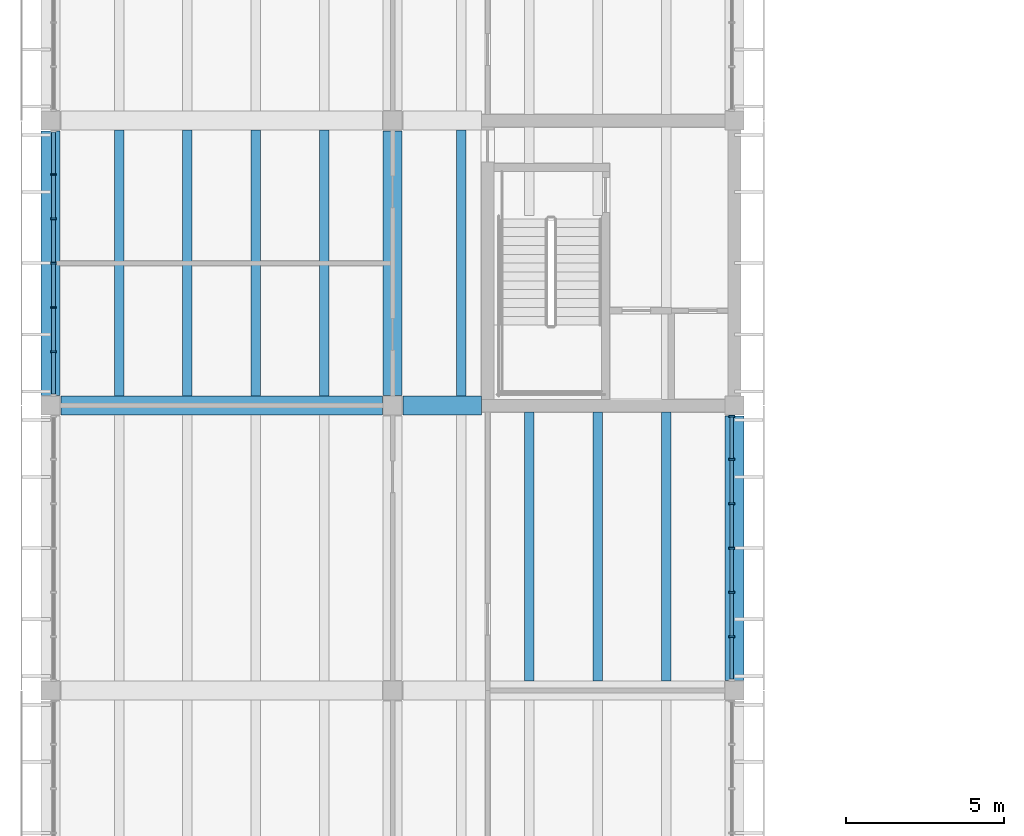
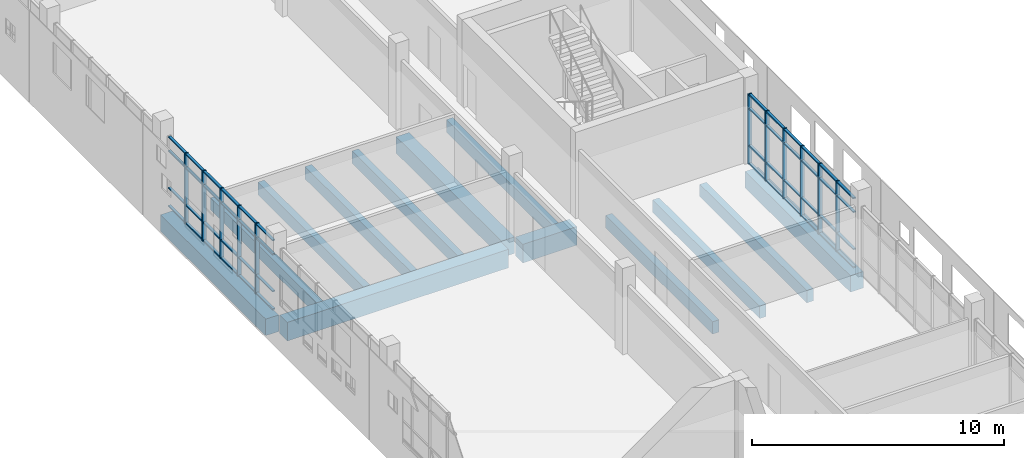
# One storey, part 16 of 88: 59 members, 13 beams, 2 elements without a shape of their own.
"""IFC4 building model written with IfcOpenShell, lengths in metres."""

from ifc_helpers import new_model, si_unit, direction, frame, origin, origin_2d, place, context, subcontext, project, spatial, rectangle, extrude, material, material_profile, profile_set, type_object, element, aggregate, save


model = new_model("IFC4")

# Units and contexts
model_context = context("Model", 3, precision=1e-05, world=origin(), true_north=direction((0.0, 1.0)))
body_context = subcontext(model_context, "Body", "Model", "MODEL_VIEW")
ifc_project = project(units=[si_unit("LENGTHUNIT", "METRE"), si_unit("AREAUNIT", "SQUARE_METRE"), si_unit("VOLUMEUNIT", "CUBIC_METRE"), si_unit("PLANEANGLEUNIT", "RADIAN"), si_unit("MASSUNIT", "GRAM", prefix="KILO")], contexts=[model_context])

# Site, building, storey
site_placement = place(None, origin())
site = spatial("IfcSite", under=ifc_project, at=site_placement, CompositionType="ELEMENT")
building_placement = place(site_placement, origin())
building = spatial("IfcBuilding", under=site, at=building_placement, Name="Merrow Basin Faculty of Sciences", CompositionType="ELEMENT")
storey_placement = place(building_placement, frame((0.0, 0.0, 9.0)))
storey = spatial("IfcBuildingStorey", under=building, at=storey_placement, Name="L02", CompositionType="ELEMENT", Elevation=9.0)

# Curtain wall, members
ifc_material_1 = material(Name="Aluminium alloy 6063", Category="aluminium")
curtain_wall_type = type_object("IfcCurtainWallType", Name="Bar unitised curtain wall 180", PredefinedType="NOTDEFINED", material=ifc_material_1)
curtain_wall_1_placement = place(storey_placement, origin())
curtain_wall_1 = element("IfcCurtainWall", 1, at=curtain_wall_1_placement, inside=storey, type_object=curtain_wall_type, Name="West curtain wall L02 3", PredefinedType="NOTDEFINED")
ifc_material_2 = material(Name="Aluminium alloy 6063", Category="aluminium")
ifc_material_profile_1 = material_profile(ifc_material_2, rectangle(XDim=0.179931640625, YDim=0.06005859375, at=origin_2d()))
ifc_profile_set_1 = profile_set([ifc_material_profile_1], Name="Aluminium alloy 6063")
member_type_1 = type_object("IfcMemberType", Name="Aluminium mullion 60x180", PredefinedType="MULLION", material=ifc_profile_set_1)
member_1_placement = place(storey_placement, frame((0.090087890625, 89.699951171875, 0.0), z_axis=(0.0, 0.0, 1.0), x_axis=(-1.0, 0.0, 0.0)))
member_1 = element("IfcMember", 2, at=member_1_placement, type_object=member_type_1, Name="CW1 mullion 2", PredefinedType="MULLION", context=body_context, shape_type="SweptSolid", body=[
    extrude(rectangle(XDim=0.179931640625, YDim=0.06005859375, at=origin_2d()), origin(), (0.0, 0.0, 1.0), 3.39990234375),
])
member_2_placement = place(storey_placement, frame((0.090087890625, 91.10009765625, 0.0), z_axis=(0.0, 0.0, 1.0), x_axis=(-1.0, 0.0, 0.0)))
member_2 = element("IfcMember", 3, at=member_2_placement, type_object=member_type_1, Name="CW1 mullion 3", PredefinedType="MULLION", context=body_context, shape_type="SweptSolid", body=[
    extrude(rectangle(XDim=0.179931640625, YDim=0.06005859375, at=origin_2d()), origin(), (0.0, 0.0, 1.0), 3.39990234375),
])
member_3_placement = place(storey_placement, frame((0.090087890625, 92.5, 0.0), z_axis=(0.0, 0.0, 1.0), x_axis=(-1.0, 0.0, 0.0)))
member_3 = element("IfcMember", 4, at=member_3_placement, type_object=member_type_1, Name="CW1 mullion 4", PredefinedType="MULLION", context=body_context, shape_type="SweptSolid", body=[
    extrude(rectangle(XDim=0.179931640625, YDim=0.06005859375, at=origin_2d()), origin(), (0.0, 0.0, 1.0), 3.39990234375),
])
member_4_placement = place(storey_placement, frame((0.090087890625, 93.89990234375, 0.0), z_axis=(0.0, 0.0, 1.0), x_axis=(-1.0, 0.0, 0.0)))
member_4 = element("IfcMember", 5, at=member_4_placement, type_object=member_type_1, Name="CW1 mullion 5", PredefinedType="MULLION", context=body_context, shape_type="SweptSolid", body=[
    extrude(rectangle(XDim=0.179931640625, YDim=0.06005859375, at=origin_2d()), origin(), (0.0, 0.0, 1.0), 3.39990234375),
])
member_5_placement = place(storey_placement, frame((0.090087890625, 95.300048828125, 0.0), z_axis=(0.0, 0.0, 1.0), x_axis=(-1.0, 0.0, 0.0)))
member_5 = element("IfcMember", 6, at=member_5_placement, type_object=member_type_1, Name="CW1 mullion 6", PredefinedType="MULLION", context=body_context, shape_type="SweptSolid", body=[
    extrude(rectangle(XDim=0.179931640625, YDim=0.06005859375, at=origin_2d()), origin(), (0.0, 0.0, 1.0), 3.39990234375),
])

curtain_wall_2_placement = place(storey_placement, origin())
curtain_wall_2 = element("IfcCurtainWall", 7, at=curtain_wall_2_placement, inside=storey, type_object=curtain_wall_type, Name="East curtain wall L02 3", PredefinedType="NOTDEFINED")
member_6_placement = place(storey_placement, frame((21.510009765625, 80.699951171875, 0.0), z_axis=(0.0, 0.0, 1.0), x_axis=(-1.0, 0.0, 0.0)))
member_6 = element("IfcMember", 8, at=member_6_placement, type_object=member_type_1, Name="CW1 mullion 2", PredefinedType="MULLION", context=body_context, shape_type="SweptSolid", body=[
    extrude(rectangle(XDim=0.179931640625, YDim=0.06005859375, at=origin_2d()), origin(), (0.0, 0.0, 1.0), 3.39990234375),
])
member_7_placement = place(storey_placement, frame((21.510009765625, 82.10009765625, 0.0), z_axis=(0.0, 0.0, 1.0), x_axis=(-1.0, 0.0, 0.0)))
member_7 = element("IfcMember", 9, at=member_7_placement, type_object=member_type_1, Name="CW1 mullion 3", PredefinedType="MULLION", context=body_context, shape_type="SweptSolid", body=[
    extrude(rectangle(XDim=0.179931640625, YDim=0.06005859375, at=origin_2d()), origin(), (0.0, 0.0, 1.0), 3.39990234375),
])
member_8_placement = place(storey_placement, frame((21.510009765625, 83.5, 0.0), z_axis=(0.0, 0.0, 1.0), x_axis=(-1.0, 0.0, 0.0)))
member_8 = element("IfcMember", 10, at=member_8_placement, type_object=member_type_1, Name="CW1 mullion 4", PredefinedType="MULLION", context=body_context, shape_type="SweptSolid", body=[
    extrude(rectangle(XDim=0.179931640625, YDim=0.06005859375, at=origin_2d()), origin(), (0.0, 0.0, 1.0), 3.39990234375),
])
member_9_placement = place(storey_placement, frame((21.510009765625, 84.89990234375, 0.0), z_axis=(0.0, 0.0, 1.0), x_axis=(-1.0, 0.0, 0.0)))
member_9 = element("IfcMember", 11, at=member_9_placement, type_object=member_type_1, Name="CW1 mullion 5", PredefinedType="MULLION", context=body_context, shape_type="SweptSolid", body=[
    extrude(rectangle(XDim=0.179931640625, YDim=0.06005859375, at=origin_2d()), origin(), (0.0, 0.0, 1.0), 3.39990234375),
])
member_10_placement = place(storey_placement, frame((21.510009765625, 86.300048828125, 0.0), z_axis=(0.0, 0.0, 1.0), x_axis=(-1.0, 0.0, 0.0)))
member_10 = element("IfcMember", 12, at=member_10_placement, type_object=member_type_1, Name="CW1 mullion 6", PredefinedType="MULLION", context=body_context, shape_type="SweptSolid", body=[
    extrude(rectangle(XDim=0.179931640625, YDim=0.06005859375, at=origin_2d()), origin(), (0.0, 0.0, 1.0), 3.39990234375),
])
member_11_placement = place(storey_placement, frame((21.510009765625, 87.669921875, 0.0), z_axis=(0.0, 0.0, 1.0), x_axis=(-1.0, 0.0, 0.0)))
member_11 = element("IfcMember", 13, at=member_11_placement, type_object=member_type_1, Name="CW1 mullion 7", PredefinedType="MULLION", context=body_context, shape_type="SweptSolid", body=[
    extrude(rectangle(XDim=0.179931640625, YDim=0.06005859375, at=origin_2d()), origin(), (0.0, 0.0, 1.0), 3.39990234375),
])

# Member
ifc_material_3 = material(Name="Aluminium alloy 6063", Category="aluminium")
ifc_material_profile_2 = material_profile(ifc_material_3, rectangle(XDim=0.1201171875, YDim=0.06005859375, at=origin_2d()))
ifc_profile_set_2 = profile_set([ifc_material_profile_2], Name="Aluminium alloy 6063")
member_type_2 = type_object("IfcMemberType", Name="Aluminium transom 60x120", PredefinedType="USERDEFINED", material=ifc_profile_set_2)
member_12_placement = place(storey_placement, frame((0.090087890625, 88.360107421875, 0.030029296875), z_axis=(0.0, 1.0, 0.0), x_axis=(-1.0, 0.0, 0.0)))
member_12 = element("IfcMember", 14, at=member_12_placement, type_object=member_type_2, Name="CW1 transom 1.1", ObjectType="TRANSOM", PredefinedType="USERDEFINED", context=body_context, shape_type="SweptSolid", body=[
    extrude(rectangle(XDim=0.1201171875, YDim=0.06005859375, at=origin_2d()), origin(), (0.0, 0.0, 1.0), 1.309814453125),
])

member_13_placement = place(storey_placement, frame((0.090087890625, 88.360107421875, 0.89990234375), z_axis=(0.0, 1.0, 0.0), x_axis=(-1.0, 0.0, 0.0)))
member_13 = element("IfcMember", 15, at=member_13_placement, type_object=member_type_2, Name="CW1 transom 1.2", ObjectType="TRANSOM", PredefinedType="USERDEFINED", context=body_context, shape_type="SweptSolid", body=[
    extrude(rectangle(XDim=0.1201171875, YDim=0.06005859375, at=origin_2d()), origin(), (0.0, 0.0, 1.0), 1.309814453125),
])

member_14_placement = place(storey_placement, frame((0.090087890625, 88.360107421875, 2.699951171875), z_axis=(0.0, 1.0, 0.0), x_axis=(-1.0, 0.0, 0.0)))
member_14 = element("IfcMember", 16, at=member_14_placement, type_object=member_type_2, Name="CW1 transom 1.3", ObjectType="TRANSOM", PredefinedType="USERDEFINED", context=body_context, shape_type="SweptSolid", body=[
    extrude(rectangle(XDim=0.1201171875, YDim=0.06005859375, at=origin_2d()), origin(), (0.0, 0.0, 1.0), 1.309814453125),
])

member_15_placement = place(storey_placement, frame((0.090087890625, 88.360107421875, 3.3701171875), z_axis=(0.0, 1.0, 0.0), x_axis=(-1.0, 0.0, 0.0)))
member_15 = element("IfcMember", 17, at=member_15_placement, type_object=member_type_2, Name="CW1 transom 1.4", ObjectType="TRANSOM", PredefinedType="USERDEFINED", context=body_context, shape_type="SweptSolid", body=[
    extrude(rectangle(XDim=0.1201171875, YDim=0.06005859375, at=origin_2d()), origin(), (0.0, 0.0, 1.0), 1.309814453125),
])

member_16_placement = place(storey_placement, frame((0.090087890625, 89.72998046875, 0.030029296875), z_axis=(0.0, 1.0, 0.0), x_axis=(-1.0, 0.0, 0.0)))
member_16 = element("IfcMember", 18, at=member_16_placement, type_object=member_type_2, Name="CW1 transom 2.1", ObjectType="TRANSOM", PredefinedType="USERDEFINED", context=body_context, shape_type="SweptSolid", body=[
    extrude(rectangle(XDim=0.1201171875, YDim=0.06005859375, at=origin_2d()), origin(), (0.0, 0.0, 1.0), 1.340087890625),
])

member_17_placement = place(storey_placement, frame((0.090087890625, 89.72998046875, 0.89990234375), z_axis=(0.0, 1.0, 0.0), x_axis=(-1.0, 0.0, 0.0)))
member_17 = element("IfcMember", 19, at=member_17_placement, type_object=member_type_2, Name="CW1 transom 2.2", ObjectType="TRANSOM", PredefinedType="USERDEFINED", context=body_context, shape_type="SweptSolid", body=[
    extrude(rectangle(XDim=0.1201171875, YDim=0.06005859375, at=origin_2d()), origin(), (0.0, 0.0, 1.0), 1.340087890625),
])

member_18_placement = place(storey_placement, frame((0.090087890625, 89.72998046875, 2.699951171875), z_axis=(0.0, 1.0, 0.0), x_axis=(-1.0, 0.0, 0.0)))
member_18 = element("IfcMember", 20, at=member_18_placement, type_object=member_type_2, Name="CW1 transom 2.3", ObjectType="TRANSOM", PredefinedType="USERDEFINED", context=body_context, shape_type="SweptSolid", body=[
    extrude(rectangle(XDim=0.1201171875, YDim=0.06005859375, at=origin_2d()), origin(), (0.0, 0.0, 1.0), 1.340087890625),
])

member_19_placement = place(storey_placement, frame((0.090087890625, 89.72998046875, 3.3701171875), z_axis=(0.0, 1.0, 0.0), x_axis=(-1.0, 0.0, 0.0)))
member_19 = element("IfcMember", 21, at=member_19_placement, type_object=member_type_2, Name="CW1 transom 2.4", ObjectType="TRANSOM", PredefinedType="USERDEFINED", context=body_context, shape_type="SweptSolid", body=[
    extrude(rectangle(XDim=0.1201171875, YDim=0.06005859375, at=origin_2d()), origin(), (0.0, 0.0, 1.0), 1.340087890625),
])

member_20_placement = place(storey_placement, frame((0.090087890625, 91.1298828125, 0.030029296875), z_axis=(0.0, 1.0, 0.0), x_axis=(-1.0, 0.0, 0.0)))
member_20 = element("IfcMember", 22, at=member_20_placement, type_object=member_type_2, Name="CW1 transom 3.1", ObjectType="TRANSOM", PredefinedType="USERDEFINED", context=body_context, shape_type="SweptSolid", body=[
    extrude(rectangle(XDim=0.1201171875, YDim=0.06005859375, at=origin_2d()), origin(), (0.0, 0.0, 1.0), 1.340087890625),
])

member_21_placement = place(storey_placement, frame((0.090087890625, 91.1298828125, 0.89990234375), z_axis=(0.0, 1.0, 0.0), x_axis=(-1.0, 0.0, 0.0)))
member_21 = element("IfcMember", 23, at=member_21_placement, type_object=member_type_2, Name="CW1 transom 3.2", ObjectType="TRANSOM", PredefinedType="USERDEFINED", context=body_context, shape_type="SweptSolid", body=[
    extrude(rectangle(XDim=0.1201171875, YDim=0.06005859375, at=origin_2d()), origin(), (0.0, 0.0, 1.0), 1.340087890625),
])

member_22_placement = place(storey_placement, frame((0.090087890625, 91.1298828125, 2.699951171875), z_axis=(0.0, 1.0, 0.0), x_axis=(-1.0, 0.0, 0.0)))
member_22 = element("IfcMember", 24, at=member_22_placement, type_object=member_type_2, Name="CW1 transom 3.3", ObjectType="TRANSOM", PredefinedType="USERDEFINED", context=body_context, shape_type="SweptSolid", body=[
    extrude(rectangle(XDim=0.1201171875, YDim=0.06005859375, at=origin_2d()), origin(), (0.0, 0.0, 1.0), 1.340087890625),
])

member_23_placement = place(storey_placement, frame((0.090087890625, 91.1298828125, 3.3701171875), z_axis=(0.0, 1.0, 0.0), x_axis=(-1.0, 0.0, 0.0)))
member_23 = element("IfcMember", 25, at=member_23_placement, type_object=member_type_2, Name="CW1 transom 3.4", ObjectType="TRANSOM", PredefinedType="USERDEFINED", context=body_context, shape_type="SweptSolid", body=[
    extrude(rectangle(XDim=0.1201171875, YDim=0.06005859375, at=origin_2d()), origin(), (0.0, 0.0, 1.0), 1.340087890625),
])

member_24_placement = place(storey_placement, frame((0.090087890625, 92.530029296875, 0.030029296875), z_axis=(0.0, 1.0, 0.0), x_axis=(-1.0, 0.0, 0.0)))
member_24 = element("IfcMember", 26, at=member_24_placement, type_object=member_type_2, Name="CW1 transom 4.1", ObjectType="TRANSOM", PredefinedType="USERDEFINED", context=body_context, shape_type="SweptSolid", body=[
    extrude(rectangle(XDim=0.1201171875, YDim=0.06005859375, at=origin_2d()), origin(), (0.0, 0.0, 1.0), 1.340087890625),
])

member_25_placement = place(storey_placement, frame((0.090087890625, 92.530029296875, 0.89990234375), z_axis=(0.0, 1.0, 0.0), x_axis=(-1.0, 0.0, 0.0)))
member_25 = element("IfcMember", 27, at=member_25_placement, type_object=member_type_2, Name="CW1 transom 4.2", ObjectType="TRANSOM", PredefinedType="USERDEFINED", context=body_context, shape_type="SweptSolid", body=[
    extrude(rectangle(XDim=0.1201171875, YDim=0.06005859375, at=origin_2d()), origin(), (0.0, 0.0, 1.0), 1.340087890625),
])

member_26_placement = place(storey_placement, frame((0.090087890625, 92.530029296875, 2.699951171875), z_axis=(0.0, 1.0, 0.0), x_axis=(-1.0, 0.0, 0.0)))
member_26 = element("IfcMember", 28, at=member_26_placement, type_object=member_type_2, Name="CW1 transom 4.3", ObjectType="TRANSOM", PredefinedType="USERDEFINED", context=body_context, shape_type="SweptSolid", body=[
    extrude(rectangle(XDim=0.1201171875, YDim=0.06005859375, at=origin_2d()), origin(), (0.0, 0.0, 1.0), 1.340087890625),
])

member_27_placement = place(storey_placement, frame((0.090087890625, 92.530029296875, 3.3701171875), z_axis=(0.0, 1.0, 0.0), x_axis=(-1.0, 0.0, 0.0)))
member_27 = element("IfcMember", 29, at=member_27_placement, type_object=member_type_2, Name="CW1 transom 4.4", ObjectType="TRANSOM", PredefinedType="USERDEFINED", context=body_context, shape_type="SweptSolid", body=[
    extrude(rectangle(XDim=0.1201171875, YDim=0.06005859375, at=origin_2d()), origin(), (0.0, 0.0, 1.0), 1.340087890625),
])

member_28_placement = place(storey_placement, frame((0.090087890625, 93.929931640625, 0.030029296875), z_axis=(0.0, 1.0, 0.0), x_axis=(-1.0, 0.0, 0.0)))
member_28 = element("IfcMember", 30, at=member_28_placement, type_object=member_type_2, Name="CW1 transom 5.1", ObjectType="TRANSOM", PredefinedType="USERDEFINED", context=body_context, shape_type="SweptSolid", body=[
    extrude(rectangle(XDim=0.1201171875, YDim=0.06005859375, at=origin_2d()), origin(), (0.0, 0.0, 1.0), 1.340087890625),
])

member_29_placement = place(storey_placement, frame((0.090087890625, 93.929931640625, 0.89990234375), z_axis=(0.0, 1.0, 0.0), x_axis=(-1.0, 0.0, 0.0)))
member_29 = element("IfcMember", 31, at=member_29_placement, type_object=member_type_2, Name="CW1 transom 5.2", ObjectType="TRANSOM", PredefinedType="USERDEFINED", context=body_context, shape_type="SweptSolid", body=[
    extrude(rectangle(XDim=0.1201171875, YDim=0.06005859375, at=origin_2d()), origin(), (0.0, 0.0, 1.0), 1.340087890625),
])

member_30_placement = place(storey_placement, frame((0.090087890625, 93.929931640625, 2.699951171875), z_axis=(0.0, 1.0, 0.0), x_axis=(-1.0, 0.0, 0.0)))
member_30 = element("IfcMember", 32, at=member_30_placement, type_object=member_type_2, Name="CW1 transom 5.3", ObjectType="TRANSOM", PredefinedType="USERDEFINED", context=body_context, shape_type="SweptSolid", body=[
    extrude(rectangle(XDim=0.1201171875, YDim=0.06005859375, at=origin_2d()), origin(), (0.0, 0.0, 1.0), 1.340087890625),
])

member_31_placement = place(storey_placement, frame((0.090087890625, 93.929931640625, 3.3701171875), z_axis=(0.0, 1.0, 0.0), x_axis=(-1.0, 0.0, 0.0)))
member_31 = element("IfcMember", 33, at=member_31_placement, type_object=member_type_2, Name="CW1 transom 5.4", ObjectType="TRANSOM", PredefinedType="USERDEFINED", context=body_context, shape_type="SweptSolid", body=[
    extrude(rectangle(XDim=0.1201171875, YDim=0.06005859375, at=origin_2d()), origin(), (0.0, 0.0, 1.0), 1.340087890625),
])

member_32_placement = place(storey_placement, frame((0.090087890625, 95.330078125, 0.030029296875), z_axis=(0.0, 1.0, 0.0), x_axis=(-1.0, 0.0, 0.0)))
member_32 = element("IfcMember", 34, at=member_32_placement, type_object=member_type_2, Name="CW1 transom 6.1", ObjectType="TRANSOM", PredefinedType="USERDEFINED", context=body_context, shape_type="SweptSolid", body=[
    extrude(rectangle(XDim=0.1201171875, YDim=0.06005859375, at=origin_2d()), origin(), (0.0, 0.0, 1.0), 1.309814453125),
])

member_33_placement = place(storey_placement, frame((0.090087890625, 95.330078125, 0.89990234375), z_axis=(0.0, 1.0, 0.0), x_axis=(-1.0, 0.0, 0.0)))
member_33 = element("IfcMember", 35, at=member_33_placement, type_object=member_type_2, Name="CW1 transom 6.2", ObjectType="TRANSOM", PredefinedType="USERDEFINED", context=body_context, shape_type="SweptSolid", body=[
    extrude(rectangle(XDim=0.1201171875, YDim=0.06005859375, at=origin_2d()), origin(), (0.0, 0.0, 1.0), 1.309814453125),
])

member_34_placement = place(storey_placement, frame((0.090087890625, 95.330078125, 2.699951171875), z_axis=(0.0, 1.0, 0.0), x_axis=(-1.0, 0.0, 0.0)))
member_34 = element("IfcMember", 36, at=member_34_placement, type_object=member_type_2, Name="CW1 transom 6.3", ObjectType="TRANSOM", PredefinedType="USERDEFINED", context=body_context, shape_type="SweptSolid", body=[
    extrude(rectangle(XDim=0.1201171875, YDim=0.06005859375, at=origin_2d()), origin(), (0.0, 0.0, 1.0), 1.309814453125),
])

member_35_placement = place(storey_placement, frame((0.090087890625, 95.330078125, 3.3701171875), z_axis=(0.0, 1.0, 0.0), x_axis=(-1.0, 0.0, 0.0)))
member_35 = element("IfcMember", 37, at=member_35_placement, type_object=member_type_2, Name="CW1 transom 6.4", ObjectType="TRANSOM", PredefinedType="USERDEFINED", context=body_context, shape_type="SweptSolid", body=[
    extrude(rectangle(XDim=0.1201171875, YDim=0.06005859375, at=origin_2d()), origin(), (0.0, 0.0, 1.0), 1.309814453125),
])

aggregate(curtain_wall_1, [member_1, member_2, member_3, member_4, member_5, member_12, member_13, member_14, member_15, member_16, member_17, member_18, member_19, member_20, member_21, member_22, member_23, member_24, member_25, member_26, member_27, member_28, member_29, member_30, member_31, member_32, member_33, member_34, member_35])

member_36_placement = place(storey_placement, frame((21.510009765625, 79.360107421875, 0.030029296875), z_axis=(0.0, 1.0, 0.0), x_axis=(-1.0, 0.0, 0.0)))
member_36 = element("IfcMember", 38, at=member_36_placement, type_object=member_type_2, Name="CW1 transom 1.1", ObjectType="TRANSOM", PredefinedType="USERDEFINED", context=body_context, shape_type="SweptSolid", body=[
    extrude(rectangle(XDim=0.1201171875, YDim=0.06005859375, at=origin_2d()), origin(), (0.0, 0.0, 1.0), 1.309814453125),
])

member_37_placement = place(storey_placement, frame((21.510009765625, 79.360107421875, 0.89990234375), z_axis=(0.0, 1.0, 0.0), x_axis=(-1.0, 0.0, 0.0)))
member_37 = element("IfcMember", 39, at=member_37_placement, type_object=member_type_2, Name="CW1 transom 1.2", ObjectType="TRANSOM", PredefinedType="USERDEFINED", context=body_context, shape_type="SweptSolid", body=[
    extrude(rectangle(XDim=0.1201171875, YDim=0.06005859375, at=origin_2d()), origin(), (0.0, 0.0, 1.0), 1.309814453125),
])

member_38_placement = place(storey_placement, frame((21.510009765625, 79.360107421875, 2.699951171875), z_axis=(0.0, 1.0, 0.0), x_axis=(-1.0, 0.0, 0.0)))
member_38 = element("IfcMember", 40, at=member_38_placement, type_object=member_type_2, Name="CW1 transom 1.3", ObjectType="TRANSOM", PredefinedType="USERDEFINED", context=body_context, shape_type="SweptSolid", body=[
    extrude(rectangle(XDim=0.1201171875, YDim=0.06005859375, at=origin_2d()), origin(), (0.0, 0.0, 1.0), 1.309814453125),
])

member_39_placement = place(storey_placement, frame((21.510009765625, 79.360107421875, 3.3701171875), z_axis=(0.0, 1.0, 0.0), x_axis=(-1.0, 0.0, 0.0)))
member_39 = element("IfcMember", 41, at=member_39_placement, type_object=member_type_2, Name="CW1 transom 1.4", ObjectType="TRANSOM", PredefinedType="USERDEFINED", context=body_context, shape_type="SweptSolid", body=[
    extrude(rectangle(XDim=0.1201171875, YDim=0.06005859375, at=origin_2d()), origin(), (0.0, 0.0, 1.0), 1.309814453125),
])

member_40_placement = place(storey_placement, frame((21.510009765625, 80.72998046875, 0.030029296875), z_axis=(0.0, 1.0, 0.0), x_axis=(-1.0, 0.0, 0.0)))
member_40 = element("IfcMember", 42, at=member_40_placement, type_object=member_type_2, Name="CW1 transom 2.1", ObjectType="TRANSOM", PredefinedType="USERDEFINED", context=body_context, shape_type="SweptSolid", body=[
    extrude(rectangle(XDim=0.1201171875, YDim=0.06005859375, at=origin_2d()), origin(), (0.0, 0.0, 1.0), 1.340087890625),
])

member_41_placement = place(storey_placement, frame((21.510009765625, 80.72998046875, 0.89990234375), z_axis=(0.0, 1.0, 0.0), x_axis=(-1.0, 0.0, 0.0)))
member_41 = element("IfcMember", 43, at=member_41_placement, type_object=member_type_2, Name="CW1 transom 2.2", ObjectType="TRANSOM", PredefinedType="USERDEFINED", context=body_context, shape_type="SweptSolid", body=[
    extrude(rectangle(XDim=0.1201171875, YDim=0.06005859375, at=origin_2d()), origin(), (0.0, 0.0, 1.0), 1.340087890625),
])

member_42_placement = place(storey_placement, frame((21.510009765625, 80.72998046875, 2.699951171875), z_axis=(0.0, 1.0, 0.0), x_axis=(-1.0, 0.0, 0.0)))
member_42 = element("IfcMember", 44, at=member_42_placement, type_object=member_type_2, Name="CW1 transom 2.3", ObjectType="TRANSOM", PredefinedType="USERDEFINED", context=body_context, shape_type="SweptSolid", body=[
    extrude(rectangle(XDim=0.1201171875, YDim=0.06005859375, at=origin_2d()), origin(), (0.0, 0.0, 1.0), 1.340087890625),
])

member_43_placement = place(storey_placement, frame((21.510009765625, 80.72998046875, 3.3701171875), z_axis=(0.0, 1.0, 0.0), x_axis=(-1.0, 0.0, 0.0)))
member_43 = element("IfcMember", 45, at=member_43_placement, type_object=member_type_2, Name="CW1 transom 2.4", ObjectType="TRANSOM", PredefinedType="USERDEFINED", context=body_context, shape_type="SweptSolid", body=[
    extrude(rectangle(XDim=0.1201171875, YDim=0.06005859375, at=origin_2d()), origin(), (0.0, 0.0, 1.0), 1.340087890625),
])

member_44_placement = place(storey_placement, frame((21.510009765625, 82.1298828125, 0.030029296875), z_axis=(0.0, 1.0, 0.0), x_axis=(-1.0, 0.0, 0.0)))
member_44 = element("IfcMember", 46, at=member_44_placement, type_object=member_type_2, Name="CW1 transom 3.1", ObjectType="TRANSOM", PredefinedType="USERDEFINED", context=body_context, shape_type="SweptSolid", body=[
    extrude(rectangle(XDim=0.1201171875, YDim=0.06005859375, at=origin_2d()), origin(), (0.0, 0.0, 1.0), 1.340087890625),
])

member_45_placement = place(storey_placement, frame((21.510009765625, 82.1298828125, 0.89990234375), z_axis=(0.0, 1.0, 0.0), x_axis=(-1.0, 0.0, 0.0)))
member_45 = element("IfcMember", 47, at=member_45_placement, type_object=member_type_2, Name="CW1 transom 3.2", ObjectType="TRANSOM", PredefinedType="USERDEFINED", context=body_context, shape_type="SweptSolid", body=[
    extrude(rectangle(XDim=0.1201171875, YDim=0.06005859375, at=origin_2d()), origin(), (0.0, 0.0, 1.0), 1.340087890625),
])

member_46_placement = place(storey_placement, frame((21.510009765625, 82.1298828125, 2.699951171875), z_axis=(0.0, 1.0, 0.0), x_axis=(-1.0, 0.0, 0.0)))
member_46 = element("IfcMember", 48, at=member_46_placement, type_object=member_type_2, Name="CW1 transom 3.3", ObjectType="TRANSOM", PredefinedType="USERDEFINED", context=body_context, shape_type="SweptSolid", body=[
    extrude(rectangle(XDim=0.1201171875, YDim=0.06005859375, at=origin_2d()), origin(), (0.0, 0.0, 1.0), 1.340087890625),
])

member_47_placement = place(storey_placement, frame((21.510009765625, 82.1298828125, 3.3701171875), z_axis=(0.0, 1.0, 0.0), x_axis=(-1.0, 0.0, 0.0)))
member_47 = element("IfcMember", 49, at=member_47_placement, type_object=member_type_2, Name="CW1 transom 3.4", ObjectType="TRANSOM", PredefinedType="USERDEFINED", context=body_context, shape_type="SweptSolid", body=[
    extrude(rectangle(XDim=0.1201171875, YDim=0.06005859375, at=origin_2d()), origin(), (0.0, 0.0, 1.0), 1.340087890625),
])

member_48_placement = place(storey_placement, frame((21.510009765625, 83.530029296875, 0.030029296875), z_axis=(0.0, 1.0, 0.0), x_axis=(-1.0, 0.0, 0.0)))
member_48 = element("IfcMember", 50, at=member_48_placement, type_object=member_type_2, Name="CW1 transom 4.1", ObjectType="TRANSOM", PredefinedType="USERDEFINED", context=body_context, shape_type="SweptSolid", body=[
    extrude(rectangle(XDim=0.1201171875, YDim=0.06005859375, at=origin_2d()), origin(), (0.0, 0.0, 1.0), 1.340087890625),
])

member_49_placement = place(storey_placement, frame((21.510009765625, 83.530029296875, 0.89990234375), z_axis=(0.0, 1.0, 0.0), x_axis=(-1.0, 0.0, 0.0)))
member_49 = element("IfcMember", 51, at=member_49_placement, type_object=member_type_2, Name="CW1 transom 4.2", ObjectType="TRANSOM", PredefinedType="USERDEFINED", context=body_context, shape_type="SweptSolid", body=[
    extrude(rectangle(XDim=0.1201171875, YDim=0.06005859375, at=origin_2d()), origin(), (0.0, 0.0, 1.0), 1.340087890625),
])

member_50_placement = place(storey_placement, frame((21.510009765625, 83.530029296875, 2.699951171875), z_axis=(0.0, 1.0, 0.0), x_axis=(-1.0, 0.0, 0.0)))
member_50 = element("IfcMember", 52, at=member_50_placement, type_object=member_type_2, Name="CW1 transom 4.3", ObjectType="TRANSOM", PredefinedType="USERDEFINED", context=body_context, shape_type="SweptSolid", body=[
    extrude(rectangle(XDim=0.1201171875, YDim=0.06005859375, at=origin_2d()), origin(), (0.0, 0.0, 1.0), 1.340087890625),
])

member_51_placement = place(storey_placement, frame((21.510009765625, 83.530029296875, 3.3701171875), z_axis=(0.0, 1.0, 0.0), x_axis=(-1.0, 0.0, 0.0)))
member_51 = element("IfcMember", 53, at=member_51_placement, type_object=member_type_2, Name="CW1 transom 4.4", ObjectType="TRANSOM", PredefinedType="USERDEFINED", context=body_context, shape_type="SweptSolid", body=[
    extrude(rectangle(XDim=0.1201171875, YDim=0.06005859375, at=origin_2d()), origin(), (0.0, 0.0, 1.0), 1.340087890625),
])

member_52_placement = place(storey_placement, frame((21.510009765625, 84.929931640625, 0.030029296875), z_axis=(0.0, 1.0, 0.0), x_axis=(-1.0, 0.0, 0.0)))
member_52 = element("IfcMember", 54, at=member_52_placement, type_object=member_type_2, Name="CW1 transom 5.1", ObjectType="TRANSOM", PredefinedType="USERDEFINED", context=body_context, shape_type="SweptSolid", body=[
    extrude(rectangle(XDim=0.1201171875, YDim=0.06005859375, at=origin_2d()), origin(), (0.0, 0.0, 1.0), 1.340087890625),
])

member_53_placement = place(storey_placement, frame((21.510009765625, 84.929931640625, 0.89990234375), z_axis=(0.0, 1.0, 0.0), x_axis=(-1.0, 0.0, 0.0)))
member_53 = element("IfcMember", 55, at=member_53_placement, type_object=member_type_2, Name="CW1 transom 5.2", ObjectType="TRANSOM", PredefinedType="USERDEFINED", context=body_context, shape_type="SweptSolid", body=[
    extrude(rectangle(XDim=0.1201171875, YDim=0.06005859375, at=origin_2d()), origin(), (0.0, 0.0, 1.0), 1.340087890625),
])

member_54_placement = place(storey_placement, frame((21.510009765625, 84.929931640625, 2.699951171875), z_axis=(0.0, 1.0, 0.0), x_axis=(-1.0, 0.0, 0.0)))
member_54 = element("IfcMember", 56, at=member_54_placement, type_object=member_type_2, Name="CW1 transom 5.3", ObjectType="TRANSOM", PredefinedType="USERDEFINED", context=body_context, shape_type="SweptSolid", body=[
    extrude(rectangle(XDim=0.1201171875, YDim=0.06005859375, at=origin_2d()), origin(), (0.0, 0.0, 1.0), 1.340087890625),
])

member_55_placement = place(storey_placement, frame((21.510009765625, 84.929931640625, 3.3701171875), z_axis=(0.0, 1.0, 0.0), x_axis=(-1.0, 0.0, 0.0)))
member_55 = element("IfcMember", 57, at=member_55_placement, type_object=member_type_2, Name="CW1 transom 5.4", ObjectType="TRANSOM", PredefinedType="USERDEFINED", context=body_context, shape_type="SweptSolid", body=[
    extrude(rectangle(XDim=0.1201171875, YDim=0.06005859375, at=origin_2d()), origin(), (0.0, 0.0, 1.0), 1.340087890625),
])

member_56_placement = place(storey_placement, frame((21.510009765625, 86.330078125, 0.030029296875), z_axis=(0.0, 1.0, 0.0), x_axis=(-1.0, 0.0, 0.0)))
member_56 = element("IfcMember", 58, at=member_56_placement, type_object=member_type_2, Name="CW1 transom 6.1", ObjectType="TRANSOM", PredefinedType="USERDEFINED", context=body_context, shape_type="SweptSolid", body=[
    extrude(rectangle(XDim=0.1201171875, YDim=0.06005859375, at=origin_2d()), origin(), (0.0, 0.0, 1.0), 1.309814453125),
])

member_57_placement = place(storey_placement, frame((21.510009765625, 86.330078125, 0.89990234375), z_axis=(0.0, 1.0, 0.0), x_axis=(-1.0, 0.0, 0.0)))
member_57 = element("IfcMember", 59, at=member_57_placement, type_object=member_type_2, Name="CW1 transom 6.2", ObjectType="TRANSOM", PredefinedType="USERDEFINED", context=body_context, shape_type="SweptSolid", body=[
    extrude(rectangle(XDim=0.1201171875, YDim=0.06005859375, at=origin_2d()), origin(), (0.0, 0.0, 1.0), 1.309814453125),
])

member_58_placement = place(storey_placement, frame((21.510009765625, 86.330078125, 2.699951171875), z_axis=(0.0, 1.0, 0.0), x_axis=(-1.0, 0.0, 0.0)))
member_58 = element("IfcMember", 60, at=member_58_placement, type_object=member_type_2, Name="CW1 transom 6.3", ObjectType="TRANSOM", PredefinedType="USERDEFINED", context=body_context, shape_type="SweptSolid", body=[
    extrude(rectangle(XDim=0.1201171875, YDim=0.06005859375, at=origin_2d()), origin(), (0.0, 0.0, 1.0), 1.309814453125),
])

member_59_placement = place(storey_placement, frame((21.510009765625, 86.330078125, 3.3701171875), z_axis=(0.0, 1.0, 0.0), x_axis=(-1.0, 0.0, 0.0)))
member_59 = element("IfcMember", 61, at=member_59_placement, type_object=member_type_2, Name="CW1 transom 6.4", ObjectType="TRANSOM", PredefinedType="USERDEFINED", context=body_context, shape_type="SweptSolid", body=[
    extrude(rectangle(XDim=0.1201171875, YDim=0.06005859375, at=origin_2d()), origin(), (0.0, 0.0, 1.0), 1.309814453125),
])

aggregate(curtain_wall_2, [member_6, member_7, member_8, member_9, member_10, member_11, member_36, member_37, member_38, member_39, member_40, member_41, member_42, member_43, member_44, member_45, member_46, member_47, member_48, member_49, member_50, member_51, member_52, member_53, member_54, member_55, member_56, member_57, member_58, member_59])

# Beams
ifc_material_4 = material(Name="Concrete C40/50", Category="concrete")
ifc_material_profile_3 = material_profile(ifc_material_4, rectangle(XDim=0.60009765625, YDim=0.800048828125, at=origin_2d()))
ifc_profile_set_3 = profile_set([ifc_material_profile_3], Name="Concrete C40/50")
beam_type_1 = type_object("IfcBeamType", Name="Beam RC600x800 C40/50", PredefinedType="BEAM", material=ifc_profile_set_3)
for number, where, z_axis, x_axis, name in (
    (62, (0.0, 88.324951171875, -0.699951171875), (0.0, 1.0, 0.0), (-1.0, 0.0, 0.0), "B2 L02 017"),
    (63, (10.800048828125, 88.324951171875, -0.699951171875), (0.0, 1.0, 0.0), (-1.0, 0.0, 0.0), "B2 L02 024"),
    (64, (21.60009765625, 79.324951171875, -0.699951171875), (0.0, 1.0, 0.0), (-1.0, 0.0, 0.0), "B2 L02 030"),
):
    element("IfcBeam", number, at=place(storey_placement, frame(where, z_axis=z_axis, x_axis=x_axis)), inside=storey, type_object=beam_type_1, Name=name, PredefinedType="BEAM", context=body_context, shape_type="SweptSolid", body=[
        extrude(rectangle(XDim=0.60009765625, YDim=0.800048828125, at=origin_2d()), origin(), (0.0, 0.0, 1.0), 8.35009765625),
    ])
ifc_material_5 = material(Name="Concrete C40/50", Category="concrete")
ifc_material_profile_4 = material_profile(ifc_material_5, rectangle(XDim=0.60009765625, YDim=0.89990234375, at=origin_2d()))
ifc_profile_set_4 = profile_set([ifc_material_profile_4], Name="Concrete C40/50")
beam_type_2 = type_object("IfcBeamType", Name="Beam RC600x900 C40/50", PredefinedType="BEAM", material=ifc_profile_set_4)
beam_1_placement = place(storey_placement, frame((0.324951171875, 88.0, -0.75), z_axis=(1.0, 0.0, 0.0), x_axis=(0.0, 1.0, 0.0)))
element("IfcBeam", 65, at=beam_1_placement, inside=storey, type_object=beam_type_2, Name="B1 L02 005", PredefinedType="BEAM", context=body_context, shape_type="SweptSolid", body=[
    extrude(rectangle(XDim=0.60009765625, YDim=0.89990234375, at=origin_2d()), origin(), (0.0, 0.0, 1.0), 10.150146484375),
])
beam_2_placement = place(storey_placement, frame((11.125, 88.0, -0.75), z_axis=(1.0, 0.0, 0.0), x_axis=(0.0, 1.0, 0.0)))
element("IfcBeam", 66, at=beam_2_placement, inside=storey, type_object=beam_type_2, Name="B1 L02 006", PredefinedType="BEAM", context=body_context, shape_type="SweptSolid", body=[
    extrude(rectangle(XDim=0.60009765625, YDim=0.89990234375, at=origin_2d()), origin(), (0.0, 0.0, 1.0), 2.47509765625),
])
ifc_material_6 = material(Name="Concrete C40/50", Category="concrete")
ifc_material_profile_5 = material_profile(ifc_material_6, rectangle(XDim=0.300048828125, YDim=0.60009765625, at=origin_2d()))
ifc_profile_set_5 = profile_set([ifc_material_profile_5], Name="Concrete C40/50")
beam_type_3 = type_object("IfcBeamType", Name="Laboratory floor joist RC300x600 C40/50", PredefinedType="BEAM", material=ifc_profile_set_5)
for number, where, z_axis, x_axis, name in (
    (67, (2.159912109375, 88.300048828125, -0.60009765625), (0.0, 1.0, 0.0), (-1.0, 0.0, 0.0), "JL1 L02 047"),
    (68, (4.320068359375, 88.300048828125, -0.60009765625), (0.0, 1.0, 0.0), (-1.0, 0.0, 0.0), "JL1 L02 048"),
    (69, (6.47998046875, 88.300048828125, -0.60009765625), (0.0, 1.0, 0.0), (-1.0, 0.0, 0.0), "JL1 L02 049"),
    (70, (8.639892578125, 88.300048828125, -0.60009765625), (0.0, 1.0, 0.0), (-1.0, 0.0, 0.0), "JL1 L02 050"),
):
    element("IfcBeam", number, at=place(storey_placement, frame(where, z_axis=z_axis, x_axis=x_axis)), inside=storey, type_object=beam_type_3, Name=name, PredefinedType="BEAM", context=body_context, shape_type="SweptSolid", body=[
        extrude(rectangle(XDim=0.300048828125, YDim=0.60009765625, at=origin_2d()), origin(), (0.0, 0.0, 1.0), 8.39990234375),
    ])
for number, where, z_axis, x_axis, name in (
    (71, (15.1201171875, 79.300048828125, -0.60009765625), (0.0, 1.0, 0.0), (-1.0, 0.0, 0.0), "JL1 L02 076"),
    (72, (17.280029296875, 79.300048828125, -0.60009765625), (0.0, 1.0, 0.0), (-1.0, 0.0, 0.0), "JL1 L02 077"),
    (73, (19.43994140625, 79.300048828125, -0.60009765625), (0.0, 1.0, 0.0), (-1.0, 0.0, 0.0), "JL1 L02 078"),
):
    element("IfcBeam", number, at=place(storey_placement, frame(where, z_axis=z_axis, x_axis=x_axis)), inside=storey, type_object=beam_type_3, Name=name, PredefinedType="BEAM", context=body_context, shape_type="SweptSolid", body=[
        extrude(rectangle(XDim=0.300048828125, YDim=0.60009765625, at=origin_2d()), origin(), (0.0, 0.0, 1.0), 8.5),
    ])
beam_3_placement = place(storey_placement, frame((12.9599609375, 88.300048828125, -0.60009765625), z_axis=(0.0, 1.0, 0.0), x_axis=(-1.0, 0.0, 0.0)))
element("IfcBeam", 74, at=beam_3_placement, inside=storey, type_object=beam_type_3, Name="JL1 L02 079", PredefinedType="BEAM", context=body_context, shape_type="SweptSolid", body=[
    extrude(rectangle(XDim=0.300048828125, YDim=0.60009765625, at=origin_2d()), origin(), (0.0, 0.0, 1.0), 8.39990234375),
])

save(model, "model.ifc")
